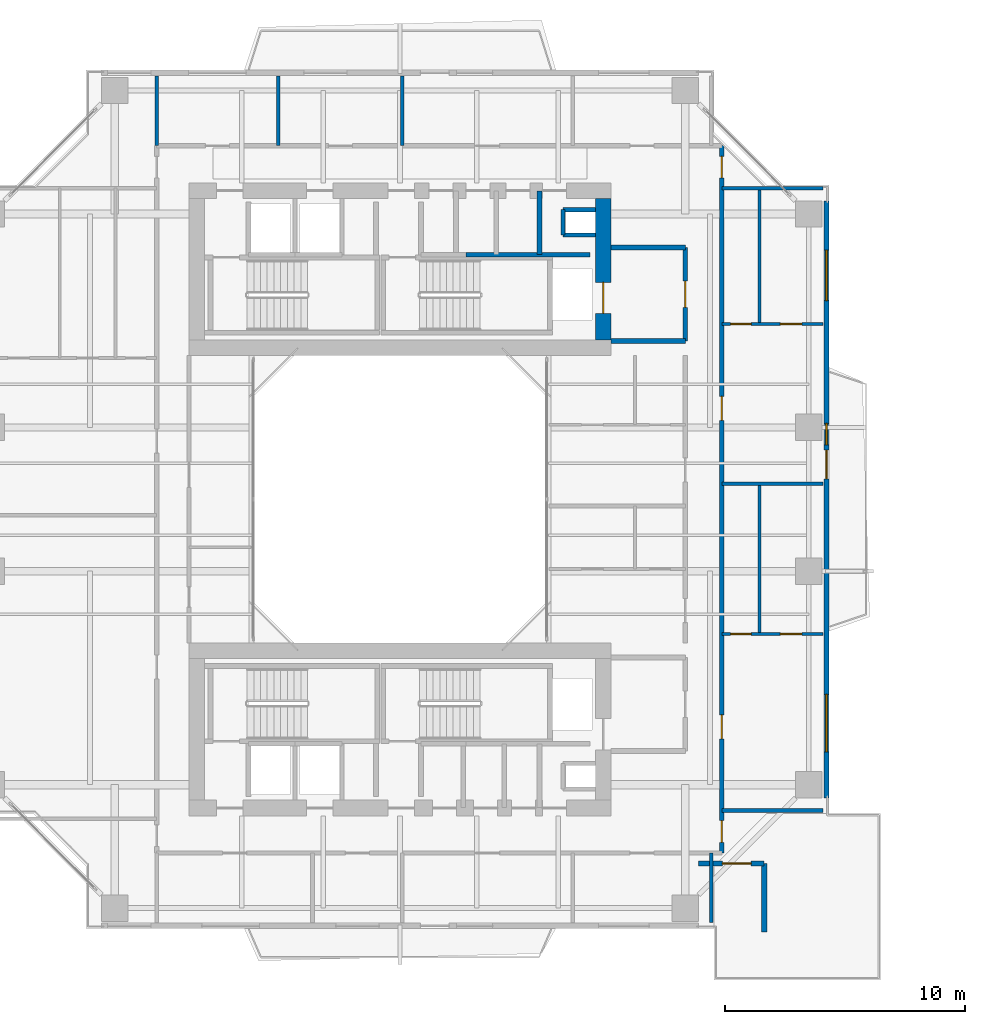
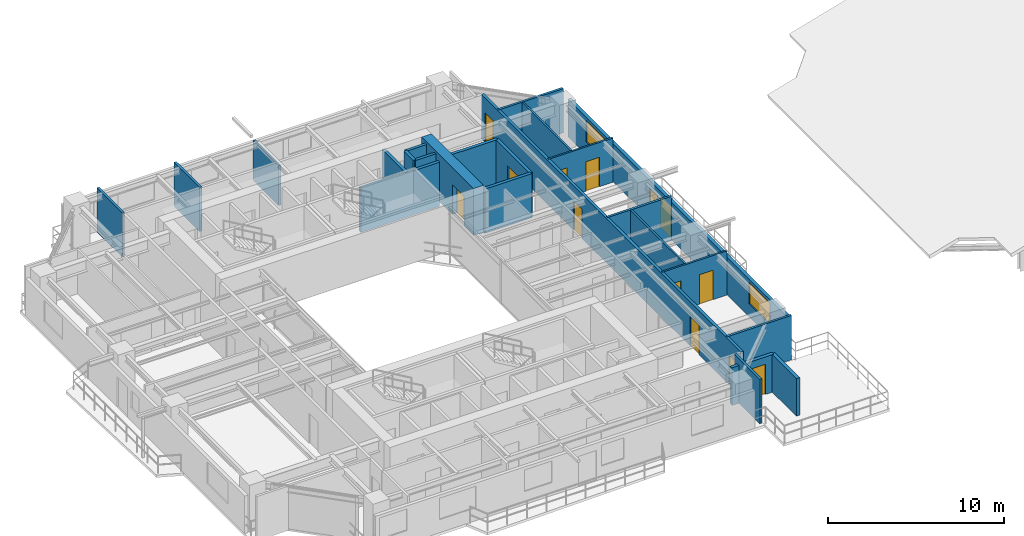
# One storey, part 24 of 28: 24 walls, 12 doors, 3 windows, 15 openings.
"""IFC4 building model written with IfcOpenShell, lengths in metres."""

from ifc_helpers import new_model, si_unit, direction, frame, frame_2d, origin, place, context, subcontext, project, spatial, rectangle, extrude, source, transform, mapped, material, layer, layer_set, type_object, element, fill, save


model = new_model("IFC4")

# Units and contexts
model_context = context("Model", 3, precision=1e-05, world=origin(), true_north=direction((0.0, 1.0)))
body_context = subcontext(model_context, "Body", "Model", "MODEL_VIEW")
ifc_project = project(units=[si_unit("LENGTHUNIT", "METRE"), si_unit("AREAUNIT", "SQUARE_METRE"), si_unit("VOLUMEUNIT", "CUBIC_METRE"), si_unit("PLANEANGLEUNIT", "RADIAN"), si_unit("MASSUNIT", "GRAM", prefix="KILO"), si_unit("THERMODYNAMICTEMPERATUREUNIT", "KELVIN"), si_unit("POWERUNIT", "WATT")], contexts=[model_context])

# Site, building, storey
site_placement = place(None, origin())
site = spatial("IfcSite", under=ifc_project, at=site_placement, CompositionType="ELEMENT")
building_placement = place(site_placement, origin())
building = spatial("IfcBuilding", under=site, at=building_placement, Name="Qiaomeng Ring Towers", CompositionType="ELEMENT")
storey_placement = place(building_placement, frame((0.0, 0.0, 113.25)))
storey = spatial("IfcBuildingStorey", under=building, at=storey_placement, Name="L32", CompositionType="ELEMENT", Elevation=113.25)

# Wall, openings, windows, door
ifc_material_1 = material(Name="Precast concrete C40", Category="concrete")
ifc_layer_1 = layer(ifc_material_1, 0.219970703125, Name="Precast concrete C40")
ifc_layer_set_1 = layer_set([ifc_layer_1], Name="Precast concrete C40")
wall_type_1 = type_object("IfcWallType", Name="ARC-WL-EW2", PredefinedType="STANDARD", material=ifc_layer_set_1)
wall_1_placement = place(storey_placement, frame((36.7900390625, 10.550048828125, 0.0), z_axis=(0.0, 0.0, 1.0), x_axis=(0.0, 1.0, 0.0)))
wall_1 = element("IfcWall", 1, at=wall_1_placement, inside=storey, type_object=wall_type_1, Name="L32 Tower 1 E Exterior Wall", PredefinedType="STANDARD", context=body_context, shape_type="SweptSolid", body=[
    extrude(rectangle(XDim=24.89990234375, YDim=0.219970703125, at=frame_2d((12.449951171875, 0.0))), origin(), (0.0, 0.0, 1.0), 2.610107421875),
])
opening_1_placement = place(wall_1_placement, frame((13.300048828125, 0.0, 0.0)))
opening_1 = element("IfcOpeningElement", 2, at=opening_1_placement, cuts=wall_1, Name="Opening BD1", PredefinedType="OPENING", context=body_context, shape_type="SweptSolid", body=[
    extrude(rectangle(XDim=1.199951171875, YDim=2.10009765625, at=frame_2d((0.60009765625, 1.050048828125))), frame((0.0, 0.119873046875, 0.0), z_axis=(0.0, -1.0, 0.0), x_axis=(1.0, 0.0, 0.0)), (0.0, 0.0, 1.0), 0.239990234375),
])
opening_2_placement = place(wall_1_placement, frame((1.912109375, 0.0, 0.89990234375)))
opening_2 = element("IfcOpeningElement", 3, at=opening_2_placement, cuts=wall_1, Name="Opening WN6", PredefinedType="OPENING", context=body_context, shape_type="SweptSolid", body=[
    extrude(rectangle(XDim=2.39990234375, YDim=1.47998046875, at=frame_2d((1.199951171875, 0.739990234375))), frame((0.0, 0.119873046875, 0.0), z_axis=(0.0, -1.0, 0.0), x_axis=(1.0, 0.0, 0.0)), (0.0, 0.0, 1.0), 0.239990234375),
])
opening_3_placement = place(wall_1_placement, frame((20.737060546875, 0.0, 0.89990234375)))
opening_3 = element("IfcOpeningElement", 4, at=opening_3_placement, cuts=wall_1, Name="Opening WN4", PredefinedType="OPENING", context=body_context, shape_type="SweptSolid", body=[
    extrude(rectangle(XDim=2.10009765625, YDim=1.47998046875, at=frame_2d((1.050048828125, 0.739990234375))), frame((0.0, 0.119873046875, 0.0), z_axis=(0.0, -1.0, 0.0), x_axis=(1.0, 0.0, 0.0)), (0.0, 0.0, 1.0), 0.239990234375),
])
opening_4_placement = place(wall_1_placement, frame((14.719970703125, 0.0, 0.89990234375)))
opening_4 = element("IfcOpeningElement", 5, at=opening_4_placement, cuts=wall_1, Name="Opening WN5", PredefinedType="OPENING", context=body_context, shape_type="SweptSolid", body=[
    extrude(rectangle(XDim=0.89990234375, YDim=1.199951171875, at=frame_2d((0.449951171875, 0.60009765625))), frame((0.0, 0.119873046875, 0.0), z_axis=(0.0, -1.0, 0.0), x_axis=(1.0, 0.0, 0.0)), (0.0, 0.0, 1.0), 0.239990234375),
])
ifc_material_2 = material(Name="Low-E dark-grey laminated double glazing", Category="glass")
window_type_1 = type_object("IfcWindowType", Name="ARC-WN-4", PartitioningType="TRIPLE_PANEL_VERTICAL", PredefinedType="WINDOW", material=ifc_material_2)
shared_shape_1 = source(origin(), body_context, "Body", "SweptSolid", [
    extrude(rectangle(XDim=2.10009765625, YDim=1.47998046875, at=frame_2d((1.050048828125, 0.739990234375))), frame((0.0, 0.030029296875, 0.0), z_axis=(0.0, -1.0, 0.0), x_axis=(1.0, 0.0, 0.0)), (0.0, 0.0, 1.0), 0.06005859375),
])
window_1_placement = place(opening_3_placement, origin())
window_1 = element("IfcWindow", 6, at=window_1_placement, inside=storey, type_object=window_type_1, Name="L32 Exterior Window WN4", OverallHeight=1.47998046875, OverallWidth=2.10009765625, PartitioningType="TRIPLE_PANEL_VERTICAL", PredefinedType="WINDOW", context=body_context, shape_type="MappedRepresentation", body=[
    mapped(shared_shape_1, transform((0.0, 0.0, 0.0), x_axis=(1.0, 0.0, 0.0), y_axis=(0.0, 1.0, 0.0), z_axis=(0.0, 0.0, 1.0), scale=1.0)),
])
fill(opening_3, window_1)
window_type_2 = type_object("IfcWindowType", Name="ARC-WN-6", PartitioningType="TRIPLE_PANEL_VERTICAL", PredefinedType="WINDOW", material=ifc_material_2)
shared_shape_2 = source(origin(), body_context, "Body", "SweptSolid", [
    extrude(rectangle(XDim=2.39990234375, YDim=1.47998046875, at=frame_2d((1.199951171875, 0.739990234375))), frame((0.0, 0.030029296875, 0.0), z_axis=(0.0, -1.0, 0.0), x_axis=(1.0, 0.0, 0.0)), (0.0, 0.0, 1.0), 0.06005859375),
])
window_2_placement = place(opening_2_placement, origin())
window_2 = element("IfcWindow", 7, at=window_2_placement, inside=storey, type_object=window_type_2, Name="L32 Exterior Window WN6", OverallHeight=1.47998046875, OverallWidth=2.39990234375, PartitioningType="TRIPLE_PANEL_VERTICAL", PredefinedType="WINDOW", context=body_context, shape_type="MappedRepresentation", body=[
    mapped(shared_shape_2, transform((0.0, 0.0, 0.0), x_axis=(1.0, 0.0, 0.0), y_axis=(0.0, 1.0, 0.0), z_axis=(0.0, 0.0, 1.0), scale=1.0)),
])
fill(opening_2, window_2)
door_type_1 = type_object("IfcDoorType", Name="ARC-DR-BD1", OperationType="NOTDEFINED", PredefinedType="DOOR", material=ifc_material_2)
shared_shape_3 = source(origin(), body_context, "Body", "SweptSolid", [
    extrude(rectangle(XDim=1.199951171875, YDim=2.10009765625, at=frame_2d((0.60009765625, 1.050048828125))), frame((0.0, 0.02490234375, 0.0), z_axis=(0.0, -1.0, 0.0), x_axis=(1.0, 0.0, 0.0)), (0.0, 0.0, 1.0), 0.050048828125),
])
door_1_placement = place(opening_1_placement, origin())
door_1 = element("IfcDoor", 8, at=door_1_placement, inside=storey, type_object=door_type_1, Name="L32 E Balcony Glazed Door", OperationType="SINGLE_SWING_LEFT", OverallHeight=2.10009765625, OverallWidth=1.199951171875, PredefinedType="DOOR", context=body_context, shape_type="MappedRepresentation", body=[
    mapped(shared_shape_3, transform((0.0, 0.0, 0.0), x_axis=(1.0, 0.0, 0.0), y_axis=(0.0, 1.0, 0.0), z_axis=(0.0, 0.0, 1.0), scale=1.0)),
])
fill(opening_1, door_1)
window_type_3 = type_object("IfcWindowType", Name="ARC-WN-5", PartitioningType="SINGLE_PANEL", PredefinedType="WINDOW", material=ifc_material_2)
shared_shape_4 = source(origin(), body_context, "Body", "SweptSolid", [
    extrude(rectangle(XDim=0.89990234375, YDim=1.199951171875, at=frame_2d((0.449951171875, 0.60009765625))), frame((0.0, 0.030029296875, 0.0), z_axis=(0.0, -1.0, 0.0), x_axis=(1.0, 0.0, 0.0)), (0.0, 0.0, 1.0), 0.06005859375),
])
window_3_placement = place(opening_4_placement, origin())
window_3 = element("IfcWindow", 9, at=window_3_placement, inside=storey, type_object=window_type_3, Name="L32 Exterior Window WN5", OverallHeight=1.199951171875, OverallWidth=0.89990234375, PartitioningType="SINGLE_PANEL", PredefinedType="WINDOW", context=body_context, shape_type="MappedRepresentation", body=[
    mapped(shared_shape_4, transform((0.0, 0.0, 0.0), x_axis=(1.0, 0.0, 0.0), y_axis=(0.0, 1.0, 0.0), z_axis=(0.0, 0.0, 1.0), scale=1.0)),
])
fill(opening_4, window_3)

# Wall, opening, door
wall_2_placement = place(storey_placement, frame((31.449951171875, 7.81005859375, 0.0), z_axis=(0.0, 0.0, 1.0), x_axis=(1.0, 0.0, 0.0)))
wall_2 = element("IfcWall", 10, at=wall_2_placement, inside=storey, type_object=wall_type_1, Name="L32 Spiral Terrace Wall SE", PredefinedType="STANDARD", context=body_context, shape_type="SweptSolid", body=[
    extrude(rectangle(XDim=2.739990234375, YDim=0.219970703125, at=frame_2d((1.3701171875, 0.0))), origin(), (0.0, 0.0, 1.0), 2.610107421875),
])
opening_5_placement = place(wall_2_placement, frame((0.989990234375, 0.0, 0.0)))
opening_5 = element("IfcOpeningElement", 11, at=opening_5_placement, cuts=wall_2, Name="Opening BD1", PredefinedType="OPENING", context=body_context, shape_type="SweptSolid", body=[
    extrude(rectangle(XDim=1.199951171875, YDim=2.10009765625, at=frame_2d((0.60009765625, 1.050048828125))), frame((0.0, 0.119873046875, 0.0), z_axis=(0.0, -1.0, 0.0), x_axis=(1.0, 0.0, 0.0)), (0.0, 0.0, 1.0), 0.239990234375),
])
door_2_placement = place(opening_5_placement, origin())
door_2 = element("IfcDoor", 12, at=door_2_placement, inside=storey, type_object=door_type_1, Name="L32 Spiral Sky Terrace Door SE", OperationType="SINGLE_SWING_LEFT", OverallHeight=2.10009765625, OverallWidth=1.199951171875, PredefinedType="DOOR", context=body_context, shape_type="MappedRepresentation", body=[
    mapped(shared_shape_3, transform((0.0, 0.0, 0.0), x_axis=(1.0, 0.0, 0.0), y_axis=(0.0, 1.0, 0.0), z_axis=(0.0, 0.0, 1.0), scale=1.0)),
])
fill(opening_5, door_2)

# Walls
wall_3_placement = place(storey_placement, frame((34.18994140625, 4.949951171875, 0.0), z_axis=(0.0, 0.0, 1.0), x_axis=(0.0, 1.0, 0.0)))
element("IfcWall", 13, at=wall_3_placement, inside=storey, type_object=wall_type_1, Name="L32 Spiral Terrace Return Wall SE", PredefinedType="STANDARD", context=body_context, shape_type="SweptSolid", body=[
    extrude(rectangle(XDim=2.860107421875, YDim=0.219970703125, at=frame_2d((1.43017578125, 0.0))), origin(), (0.0, 0.0, 1.0), 2.610107421875),
])
ifc_material_3 = material(Name="Autoclaved aerated concrete block", Category="concrete")
ifc_layer_2 = layer(ifc_material_3, 0.199951171875, Name="Autoclaved aerated concrete block")
ifc_layer_set_2 = layer_set([ifc_layer_2], Name="Autoclaved aerated concrete block")
wall_type_2 = type_object("IfcWallType", Name="ARC-WL-PW1", PredefinedType="PARTITIONING", material=ifc_layer_set_2)
for number, where, z_axis, x_axis, name in (
    (14, (27.800048828125, 29.60009765625, 0.0), (0.0, 0.0, 1.0), (1.0, 0.0, 0.0), "L32 Interior Wall PW1"),
    (15, (27.800048828125, 33.5, 0.0), (0.0, 0.0, 1.0), (1.0, 0.0, 0.0), "L32 Interior Wall PW1"),
):
    element("IfcWall", number, at=place(storey_placement, frame(where, z_axis=z_axis, x_axis=x_axis)), inside=storey, type_object=wall_type_2, Name=name, PredefinedType="PARTITIONING", context=body_context, shape_type="SweptSolid", body=[
        extrude(rectangle(XDim=3.099853515625, YDim=0.199951171875, at=frame_2d((1.5498046875, 0.0))), origin(), (0.0, 0.0, 1.0), 3.070068359375),
    ])

# Wall, opening, door
wall_4_placement = place(storey_placement, frame((30.89990234375, 29.60009765625, 0.0), z_axis=(0.0, 0.0, 1.0), x_axis=(0.0, 1.0, 0.0)))
wall_4 = element("IfcWall", 16, at=wall_4_placement, inside=storey, type_object=wall_type_2, Name="L32 Interior Wall PW1", PredefinedType="PARTITIONING", context=body_context, shape_type="SweptSolid", body=[
    extrude(rectangle(XDim=3.89990234375, YDim=0.199951171875, at=frame_2d((1.949951171875, 0.0))), origin(), (0.0, 0.0, 1.0), 3.070068359375),
])
opening_6_placement = place(wall_4_placement, frame((1.39990234375, 0.0, 0.0)))
opening_6 = element("IfcOpeningElement", 17, at=opening_6_placement, cuts=wall_4, Name="Opening FD3", PredefinedType="OPENING", context=body_context, shape_type="SweptSolid", body=[
    extrude(rectangle(XDim=1.10009765625, YDim=2.050048828125, at=frame_2d((0.550048828125, 1.02490234375))), frame((0.0, 0.10986328125, 0.0), z_axis=(0.0, -1.0, 0.0), x_axis=(1.0, 0.0, 0.0)), (0.0, 0.0, 1.0), 0.219970703125),
])
ifc_material_4 = material(Name="Galvanised steel", Category="steel")
door_type_2 = type_object("IfcDoorType", Name="ARC-DR-FD3", OperationType="NOTDEFINED", PredefinedType="DOOR", material=ifc_material_4)
shared_shape_5 = source(origin(), body_context, "Body", "SweptSolid", [
    extrude(rectangle(XDim=1.10009765625, YDim=2.050048828125, at=frame_2d((0.550048828125, 1.02490234375))), frame((0.0, 0.02490234375, 0.0), z_axis=(0.0, -1.0, 0.0), x_axis=(1.0, 0.0, 0.0)), (0.0, 0.0, 1.0), 0.050048828125),
])
door_3_placement = place(opening_6_placement, origin())
door_3 = element("IfcDoor", 18, at=door_3_placement, inside=storey, type_object=door_type_2, Name="L32 North FF Lobby Door", OperationType="SINGLE_SWING_RIGHT", OverallHeight=2.050048828125, OverallWidth=1.10009765625, PredefinedType="DOOR", context=body_context, shape_type="MappedRepresentation", body=[
    mapped(shared_shape_5, transform((0.0, 0.0, 0.0), x_axis=(1.0, 0.0, 0.0), y_axis=(0.0, 1.0, 0.0), z_axis=(0.0, 0.0, 1.0), scale=1.0)),
])
fill(opening_6, door_3)

# Walls
wall_5_placement = place(storey_placement, frame((24.820068359375, 33.199951171875, 0.0), z_axis=(0.0, 0.0, 1.0), x_axis=(0.0, 1.0, 0.0)))
element("IfcWall", 19, at=wall_5_placement, inside=storey, type_object=wall_type_2, Name="L32 Interior Wall PW1", PredefinedType="PARTITIONING", context=body_context, shape_type="SweptSolid", body=[
    extrude(rectangle(XDim=2.650146484375, YDim=0.199951171875, at=frame_2d((1.3251953125, 0.0))), origin(), (0.0, 0.0, 1.0), 3.070068359375),
])
wall_6_placement = place(storey_placement, frame((21.75, 33.199951171875, 0.0), z_axis=(0.0, 0.0, 1.0), x_axis=(1.0, 0.0, 0.0)))
element("IfcWall", 20, at=wall_6_placement, inside=storey, type_object=wall_type_2, Name="L32 Interior Wall PW1", PredefinedType="PARTITIONING", context=body_context, shape_type="SweptSolid", body=[
    extrude(rectangle(XDim=5.169921875, YDim=0.199951171875, at=frame_2d((2.5849609375, 0.0))), origin(), (0.0, 0.0, 1.0), 3.070068359375),
])

# Wall, openings, doors
ifc_layer_3 = layer(ifc_material_3, 0.179931640625, Name="Autoclaved aerated concrete block")
ifc_layer_set_3 = layer_set([ifc_layer_3], Name="Autoclaved aerated concrete block")
wall_type_3 = type_object("IfcWallType", Name="ARC-WL-PW2", PredefinedType="PARTITIONING", material=ifc_layer_set_3)
wall_7_placement = place(storey_placement, frame((32.419921875, 8.25, 0.0), z_axis=(0.0, 0.0, 1.0), x_axis=(0.0, 1.0, 0.0)))
wall_7 = element("IfcWall", 21, at=wall_7_placement, inside=storey, type_object=wall_type_3, Name="L32 Interior Wall PW2", PredefinedType="PARTITIONING", context=body_context, shape_type="SweptSolid", body=[
    extrude(rectangle(XDim=29.5, YDim=0.179931640625, at=frame_2d((14.75, 0.0))), origin(), (0.0, 0.0, 1.0), 3.070068359375),
])
opening_7_placement = place(wall_7_placement, frame((28.155029296875, 0.0, 0.0)))
opening_7 = element("IfcOpeningElement", 22, at=opening_7_placement, cuts=wall_7, Name="Opening ID1", PredefinedType="OPENING", context=body_context, shape_type="SweptSolid", body=[
    extrude(rectangle(XDim=0.89990234375, YDim=2.050048828125, at=frame_2d((0.449951171875, 1.02490234375))), frame((0.0, 0.099853515625, 0.0), z_axis=(0.0, -1.0, 0.0), x_axis=(1.0, 0.0, 0.0)), (0.0, 0.0, 1.0), 0.199951171875),
])
opening_8_placement = place(wall_7_placement, frame((0.445068359375, 0.0, 0.0)))
opening_8 = element("IfcOpeningElement", 23, at=opening_8_placement, cuts=wall_7, Name="Opening ID1", PredefinedType="OPENING", context=body_context, shape_type="SweptSolid", body=[
    extrude(rectangle(XDim=0.89990234375, YDim=2.050048828125, at=frame_2d((0.449951171875, 1.02490234375))), frame((0.0, 0.099853515625, 0.0), z_axis=(0.0, -1.0, 0.0), x_axis=(1.0, 0.0, 0.0)), (0.0, 0.0, 1.0), 0.199951171875),
])
opening_9_placement = place(wall_7_placement, frame((4.760009765625, 0.0, 0.0)))
opening_9 = element("IfcOpeningElement", 24, at=opening_9_placement, cuts=wall_7, Name="Opening FD4", PredefinedType="OPENING", context=body_context, shape_type="SweptSolid", body=[
    extrude(rectangle(XDim=1.0, YDim=2.050048828125, at=frame_2d((0.5, 1.02490234375))), frame((0.0, 0.099853515625, 0.0), z_axis=(0.0, -1.0, 0.0), x_axis=(1.0, 0.0, 0.0)), (0.0, 0.0, 1.0), 0.199951171875),
])
opening_10_placement = place(wall_7_placement, frame((18.0400390625, 0.0, 0.0)))
opening_10 = element("IfcOpeningElement", 25, at=opening_10_placement, cuts=wall_7, Name="Opening FD4", PredefinedType="OPENING", context=body_context, shape_type="SweptSolid", body=[
    extrude(rectangle(XDim=1.0, YDim=2.050048828125, at=frame_2d((0.5, 1.02490234375))), frame((0.0, 0.099853515625, 0.0), z_axis=(0.0, -1.0, 0.0), x_axis=(1.0, 0.0, 0.0)), (0.0, 0.0, 1.0), 0.199951171875),
])
ifc_material_5 = material(Name="Engineered fire-rated oak timber", Category="wood")
door_type_3 = type_object("IfcDoorType", Name="ARC-DR-FD4", OperationType="NOTDEFINED", PredefinedType="DOOR", material=ifc_material_5)
shared_shape_6 = source(origin(), body_context, "Body", "SweptSolid", [
    extrude(rectangle(XDim=1.0, YDim=2.050048828125, at=frame_2d((0.5, 1.02490234375))), frame((0.0, 0.02490234375, 0.0), z_axis=(0.0, -1.0, 0.0), x_axis=(1.0, 0.0, 0.0)), (0.0, 0.0, 1.0), 0.050048828125),
])
door_4_placement = place(opening_9_placement, origin())
door_4 = element("IfcDoor", 26, at=door_4_placement, inside=storey, type_object=door_type_3, Name="L32 Door FD4", OperationType="SINGLE_SWING_LEFT", OverallHeight=2.050048828125, OverallWidth=1.0, PredefinedType="DOOR", context=body_context, shape_type="MappedRepresentation", body=[
    mapped(shared_shape_6, transform((0.0, 0.0, 0.0), x_axis=(1.0, 0.0, 0.0), y_axis=(0.0, 1.0, 0.0), z_axis=(0.0, 0.0, 1.0), scale=1.0)),
])
fill(opening_9, door_4)
door_5_placement = place(opening_10_placement, origin())
door_5 = element("IfcDoor", 27, at=door_5_placement, inside=storey, type_object=door_type_3, Name="L32 Door FD4", OperationType="SINGLE_SWING_RIGHT", OverallHeight=2.050048828125, OverallWidth=1.0, PredefinedType="DOOR", context=body_context, shape_type="MappedRepresentation", body=[
    mapped(shared_shape_6, transform((0.0, 0.0, 0.0), x_axis=(1.0, 0.0, 0.0), y_axis=(0.0, 1.0, 0.0), z_axis=(0.0, 0.0, 1.0), scale=1.0)),
])
fill(opening_10, door_5)
ifc_material_6 = material(Name="Engineered oak timber", Category="wood")
door_type_4 = type_object("IfcDoorType", Name="ARC-DR-ID1", OperationType="NOTDEFINED", PredefinedType="DOOR", material=ifc_material_6)
shared_shape_7 = source(origin(), body_context, "Body", "SweptSolid", [
    extrude(rectangle(XDim=0.89990234375, YDim=2.050048828125, at=frame_2d((0.449951171875, 1.02490234375))), frame((0.0, 0.02490234375, 0.0), z_axis=(0.0, -1.0, 0.0), x_axis=(1.0, 0.0, 0.0)), (0.0, 0.0, 1.0), 0.050048828125),
])
door_6_placement = place(opening_7_placement, origin())
door_6 = element("IfcDoor", 28, at=door_6_placement, inside=storey, type_object=door_type_4, Name="L32 Door ID1", OperationType="SINGLE_SWING_LEFT", OverallHeight=2.050048828125, OverallWidth=0.89990234375, PredefinedType="DOOR", context=body_context, shape_type="MappedRepresentation", body=[
    mapped(shared_shape_7, transform((0.0, 0.0, 0.0), x_axis=(1.0, 0.0, 0.0), y_axis=(0.0, 1.0, 0.0), z_axis=(0.0, 0.0, 1.0), scale=1.0)),
])
fill(opening_7, door_6)
door_7_placement = place(opening_8_placement, origin())
door_7 = element("IfcDoor", 29, at=door_7_placement, inside=storey, type_object=door_type_4, Name="L32 Door ID1", OperationType="SINGLE_SWING_RIGHT", OverallHeight=2.050048828125, OverallWidth=0.89990234375, PredefinedType="DOOR", context=body_context, shape_type="MappedRepresentation", body=[
    mapped(shared_shape_7, transform((0.0, 0.0, 0.0), x_axis=(1.0, 0.0, 0.0), y_axis=(0.0, 1.0, 0.0), z_axis=(0.0, 0.0, 1.0), scale=1.0)),
])
fill(opening_8, door_7)

# Walls
ifc_material_7 = material(Name="Gypsum fireboard steel-stud partition", Category="steel")
ifc_layer_4 = layer(ifc_material_7, 0.14990234375, Name="Gypsum fireboard steel-stud partition")
ifc_layer_set_4 = layer_set([ifc_layer_4], Name="Gypsum fireboard steel-stud partition")
wall_type_4 = type_object("IfcWallType", Name="ARC-WL-PW3", PredefinedType="PARTITIONING", material=ifc_layer_set_4)
wall_8_placement = place(storey_placement, frame((13.919921875, 37.75, 0.0), z_axis=(0.0, 0.0, 1.0), x_axis=(0.0, 1.0, 0.0)))
element("IfcWall", 30, at=wall_8_placement, inside=storey, type_object=wall_type_4, Name="L32 Interior Wall PW3", PredefinedType="PARTITIONING", context=body_context, shape_type="SweptSolid", body=[
    extrude(rectangle(XDim=2.89990234375, YDim=0.14990234375, at=frame_2d((1.449951171875, 0.0))), origin(), (0.0, 0.0, 1.0), 3.070068359375),
])
wall_9_placement = place(storey_placement, frame((19.10009765625, 37.75, 0.0), z_axis=(0.0, 0.0, 1.0), x_axis=(0.0, 1.0, 0.0)))
element("IfcWall", 31, at=wall_9_placement, inside=storey, type_object=wall_type_4, Name="L32 Interior Wall PW3", PredefinedType="PARTITIONING", context=body_context, shape_type="SweptSolid", body=[
    extrude(rectangle(XDim=2.89990234375, YDim=0.14990234375, at=frame_2d((1.449951171875, 0.0))), origin(), (0.0, 0.0, 1.0), 2.77099609375),
])
for number, where, z_axis, x_axis, name in (
    (32, (8.85009765625, 37.75, 0.0), (0.0, 0.0, 1.0), (0.0, 1.0, 0.0), "L32 Interior Wall PW3"),
    (33, (31.97998046875, 5.35009765625, 0.0), (0.0, 0.0, 1.0), (0.0, 1.0, 0.0), "L32 Interior Wall PW3"),
):
    element("IfcWall", number, at=place(storey_placement, frame(where, z_axis=z_axis, x_axis=x_axis)), inside=storey, type_object=wall_type_4, Name=name, PredefinedType="PARTITIONING", context=body_context, shape_type="SweptSolid", body=[
        extrude(rectangle(XDim=2.89990234375, YDim=0.14990234375, at=frame_2d((1.449951171875, 0.0))), origin(), (0.0, 0.0, 1.0), 3.070068359375),
    ])
for number, where, z_axis, x_axis, name in (
    (34, (32.419921875, 35.97998046875, 0.0), (0.0, 0.0, 1.0), (1.0, 0.0, 0.0), "L32 Interior Wall PW3"),
    (35, (32.419921875, 10.02001953125, 0.0), (0.0, 0.0, 1.0), (1.0, 0.0, 0.0), "L32 Interior Wall PW3"),
    (36, (32.419921875, 23.64990234375, 0.0), (0.0, 0.0, 1.0), (1.0, 0.0, 0.0), "L32 Interior Wall PW3"),
):
    element("IfcWall", number, at=place(storey_placement, frame(where, z_axis=z_axis, x_axis=x_axis)), inside=storey, type_object=wall_type_4, Name=name, PredefinedType="PARTITIONING", context=body_context, shape_type="SweptSolid", body=[
        extrude(rectangle(XDim=4.22998046875, YDim=0.14990234375, at=frame_2d((2.114990234375, 0.0))), origin(), (0.0, 0.0, 1.0), 3.070068359375),
    ])

# Wall, openings, doors
ifc_material_8 = material(Name="Moisture-resistant gypsum steel-stud partition", Category="steel")
ifc_layer_5 = layer(ifc_material_8, 0.1201171875, Name="Moisture-resistant gypsum steel-stud partition")
ifc_layer_set_5 = layer_set([ifc_layer_5], Name="Moisture-resistant gypsum steel-stud partition")
wall_type_5 = type_object("IfcWallType", Name="ARC-WL-PW4", PredefinedType="PLUMBINGWALL", material=ifc_layer_set_5)
wall_10_placement = place(storey_placement, frame((32.419921875, 17.3798828125, 0.0), z_axis=(0.0, 0.0, 1.0), x_axis=(1.0, 0.0, 0.0)))
wall_10 = element("IfcWall", 37, at=wall_10_placement, inside=storey, type_object=wall_type_5, Name="L32 Interior Wall PW4", PredefinedType="PLUMBINGWALL", context=body_context, shape_type="SweptSolid", body=[
    extrude(rectangle(XDim=4.22998046875, YDim=0.1201171875, at=frame_2d((2.114990234375, 0.0))), origin(), (0.0, 0.0, 1.0), 3.070068359375),
])
opening_11_placement = place(wall_10_placement, frame((0.3701171875, 0.0, 0.0)))
opening_11 = element("IfcOpeningElement", 38, at=opening_11_placement, cuts=wall_10, Name="Opening ID2", PredefinedType="OPENING", context=body_context, shape_type="SweptSolid", body=[
    extrude(rectangle(XDim=0.85009765625, YDim=2.050048828125, at=frame_2d((0.425048828125, 1.02490234375))), frame((0.0, 0.070068359375, 0.0), z_axis=(0.0, -1.0, 0.0), x_axis=(1.0, 0.0, 0.0)), (0.0, 0.0, 1.0), 0.14013671875),
])
opening_12_placement = place(wall_10_placement, frame((2.43994140625, 0.0, 0.0)))
opening_12 = element("IfcOpeningElement", 39, at=opening_12_placement, cuts=wall_10, Name="Opening ID1", PredefinedType="OPENING", context=body_context, shape_type="SweptSolid", body=[
    extrude(rectangle(XDim=0.89990234375, YDim=2.050048828125, at=frame_2d((0.449951171875, 1.02490234375))), frame((0.0, 0.070068359375, 0.0), z_axis=(0.0, -1.0, 0.0), x_axis=(1.0, 0.0, 0.0)), (0.0, 0.0, 1.0), 0.14013671875),
])
ifc_material_9 = material(Name="Moisture-resistant engineered timber", Category="wood")
door_type_5 = type_object("IfcDoorType", Name="ARC-DR-ID2", OperationType="NOTDEFINED", PredefinedType="DOOR", material=ifc_material_9)
shared_shape_8 = source(origin(), body_context, "Body", "SweptSolid", [
    extrude(rectangle(XDim=0.85009765625, YDim=2.050048828125, at=frame_2d((0.425048828125, 1.02490234375))), frame((0.0, 0.02490234375, 0.0), z_axis=(0.0, -1.0, 0.0), x_axis=(1.0, 0.0, 0.0)), (0.0, 0.0, 1.0), 0.050048828125),
])
door_8_placement = place(opening_11_placement, origin())
door_8 = element("IfcDoor", 40, at=door_8_placement, inside=storey, type_object=door_type_5, Name="L32 Door ID2", OperationType="SINGLE_SWING_LEFT", OverallHeight=2.050048828125, OverallWidth=0.85009765625, PredefinedType="DOOR", context=body_context, shape_type="MappedRepresentation", body=[
    mapped(shared_shape_8, transform((0.0, 0.0, 0.0), x_axis=(1.0, 0.0, 0.0), y_axis=(0.0, 1.0, 0.0), z_axis=(0.0, 0.0, 1.0), scale=1.0)),
])
fill(opening_11, door_8)
door_9_placement = place(opening_12_placement, origin())
door_9 = element("IfcDoor", 41, at=door_9_placement, inside=storey, type_object=door_type_4, Name="L32 Door ID1", OperationType="SINGLE_SWING_RIGHT", OverallHeight=2.050048828125, OverallWidth=0.89990234375, PredefinedType="DOOR", context=body_context, shape_type="MappedRepresentation", body=[
    mapped(shared_shape_7, transform((0.0, 0.0, 0.0), x_axis=(1.0, 0.0, 0.0), y_axis=(0.0, 1.0, 0.0), z_axis=(0.0, 0.0, 1.0), scale=1.0)),
])
fill(opening_12, door_9)

# Wall
wall_11_placement = place(storey_placement, frame((33.989990234375, 17.3798828125, 0.0), z_axis=(0.0, 0.0, 1.0), x_axis=(0.0, 1.0, 0.0)))
element("IfcWall", 42, at=wall_11_placement, inside=storey, type_object=wall_type_5, Name="L32 Interior Wall PW4", PredefinedType="PLUMBINGWALL", context=body_context, shape_type="SweptSolid", body=[
    extrude(rectangle(XDim=6.27001953125, YDim=0.1201171875, at=frame_2d((3.135009765625, 0.0))), origin(), (0.0, 0.0, 1.0), 3.070068359375),
])

# Wall, openings, doors
wall_12_placement = place(storey_placement, frame((32.419921875, 30.31005859375, 0.0), z_axis=(0.0, 0.0, 1.0), x_axis=(1.0, 0.0, 0.0)))
wall_12 = element("IfcWall", 43, at=wall_12_placement, inside=storey, type_object=wall_type_5, Name="L32 Interior Wall PW4", PredefinedType="PLUMBINGWALL", context=body_context, shape_type="SweptSolid", body=[
    extrude(rectangle(XDim=4.22998046875, YDim=0.1201171875, at=frame_2d((2.114990234375, 0.0))), origin(), (0.0, 0.0, 1.0), 3.070068359375),
])
opening_13_placement = place(wall_12_placement, frame((0.3701171875, 0.0, 0.0)))
opening_13 = element("IfcOpeningElement", 44, at=opening_13_placement, cuts=wall_12, Name="Opening ID2", PredefinedType="OPENING", context=body_context, shape_type="SweptSolid", body=[
    extrude(rectangle(XDim=0.85009765625, YDim=2.050048828125, at=frame_2d((0.425048828125, 1.02490234375))), frame((0.0, 0.070068359375, 0.0), z_axis=(0.0, -1.0, 0.0), x_axis=(1.0, 0.0, 0.0)), (0.0, 0.0, 1.0), 0.14013671875),
])
opening_14_placement = place(wall_12_placement, frame((2.43994140625, 0.0, 0.0)))
opening_14 = element("IfcOpeningElement", 45, at=opening_14_placement, cuts=wall_12, Name="Opening ID1", PredefinedType="OPENING", context=body_context, shape_type="SweptSolid", body=[
    extrude(rectangle(XDim=0.89990234375, YDim=2.050048828125, at=frame_2d((0.449951171875, 1.02490234375))), frame((0.0, 0.070068359375, 0.0), z_axis=(0.0, -1.0, 0.0), x_axis=(1.0, 0.0, 0.0)), (0.0, 0.0, 1.0), 0.14013671875),
])
door_10_placement = place(opening_13_placement, origin())
door_10 = element("IfcDoor", 46, at=door_10_placement, inside=storey, type_object=door_type_5, Name="L32 Door ID2", OperationType="SINGLE_SWING_RIGHT", OverallHeight=2.050048828125, OverallWidth=0.85009765625, PredefinedType="DOOR", context=body_context, shape_type="MappedRepresentation", body=[
    mapped(shared_shape_8, transform((0.0, 0.0, 0.0), x_axis=(1.0, 0.0, 0.0), y_axis=(0.0, 1.0, 0.0), z_axis=(0.0, 0.0, 1.0), scale=1.0)),
])
fill(opening_13, door_10)
door_11_placement = place(opening_14_placement, origin())
door_11 = element("IfcDoor", 47, at=door_11_placement, inside=storey, type_object=door_type_4, Name="L32 Door ID1", OperationType="SINGLE_SWING_LEFT", OverallHeight=2.050048828125, OverallWidth=0.89990234375, PredefinedType="DOOR", context=body_context, shape_type="MappedRepresentation", body=[
    mapped(shared_shape_7, transform((0.0, 0.0, 0.0), x_axis=(1.0, 0.0, 0.0), y_axis=(0.0, 1.0, 0.0), z_axis=(0.0, 0.0, 1.0), scale=1.0)),
])
fill(opening_14, door_11)

# Walls
wall_13_placement = place(storey_placement, frame((33.989990234375, 30.31005859375, 0.0), z_axis=(0.0, 0.0, 1.0), x_axis=(0.0, 1.0, 0.0)))
element("IfcWall", 48, at=wall_13_placement, inside=storey, type_object=wall_type_5, Name="L32 Interior Wall PW4", PredefinedType="PLUMBINGWALL", context=body_context, shape_type="SweptSolid", body=[
    extrude(rectangle(XDim=5.669921875, YDim=0.1201171875, at=frame_2d((2.8349609375, 0.0))), origin(), (0.0, 0.0, 1.0), 3.070068359375),
])
ifc_material_10 = material(Name="Concrete C40", Category="concrete")
ifc_layer_6 = layer(ifc_material_10, 0.199951171875, Name="Concrete C40")
ifc_layer_set_6 = layer_set([ifc_layer_6], Name="Concrete C40")
wall_type_6 = type_object("IfcWallType", Name="STR-WL-STSHAFT", PredefinedType="SHEAR", material=ifc_layer_set_6)
wall_14_placement = place(storey_placement, frame((25.800048828125, 34.02001953125, 0.0), z_axis=(0.0, 0.0, 1.0), x_axis=(0.0, 1.0, 0.0)))
element("IfcWall", 49, at=wall_14_placement, inside=storey, type_object=wall_type_6, Name="L32 Riser RSR1 West Shaft Wall N", PredefinedType="SHEAR", context=body_context, shape_type="SweptSolid", body=[
    extrude(rectangle(XDim=1.06005859375, YDim=0.179931640625, at=frame_2d((0.530029296875, 0.0))), origin(), (0.0, 0.0, 1.0), 3.070068359375),
])
for number, where, z_axis, x_axis, name in (
    (50, (25.800048828125, 35.080078125, 0.0), (0.0, 0.0, 1.0), (1.0, 0.0, 0.0), "L32 Riser RSR1 North Shaft Wall N"),
    (51, (25.800048828125, 34.02001953125, 0.0), (0.0, 0.0, 1.0), (1.0, 0.0, 0.0), "L32 Riser RSR1 South Shaft Wall N"),
):
    element("IfcWall", number, at=place(storey_placement, frame(where, z_axis=z_axis, x_axis=x_axis)), inside=storey, type_object=wall_type_6, Name=name, PredefinedType="SHEAR", context=body_context, shape_type="SweptSolid", body=[
        extrude(rectangle(XDim=1.349853515625, YDim=0.179931640625, at=frame_2d((0.6748046875, 0.0))), origin(), (0.0, 0.0, 1.0), 3.070068359375),
    ])

# Wall, opening, door
ifc_material_11 = material(Name="Concrete C55", Category="concrete")
ifc_layer_7 = layer(ifc_material_11, 0.64990234375, Name="Concrete C55")
ifc_layer_set_7 = layer_set([ifc_layer_7], Name="Concrete C55")
wall_type_7 = type_object("IfcWallType", Name="STR-WL-SW2A", PredefinedType="SHEAR", material=ifc_layer_set_7)
wall_15_placement = place(storey_placement, frame((27.47509765625, 29.64990234375, 0.0), z_axis=(0.0, 0.0, 1.0), x_axis=(0.0, 1.0, 0.0)))
wall_15 = element("IfcWall", 52, at=wall_15_placement, inside=storey, type_object=wall_type_7, Name="L32 T1NC east core shear wall", PredefinedType="SHEAR", context=body_context, shape_type="SweptSolid", body=[
    extrude(rectangle(XDim=5.900146484375, YDim=0.64990234375, at=frame_2d((2.9501953125, 0.0))), origin(), (0.0, 0.0, 1.0), 3.25),
])
opening_15_placement = place(wall_15_placement, frame((1.10009765625, 0.0, 0.0)))
opening_15 = element("IfcOpeningElement", 53, at=opening_15_placement, cuts=wall_15, Name="Opening LD2", PredefinedType="OPENING", context=body_context, shape_type="SweptSolid", body=[
    extrude(rectangle(XDim=1.300048828125, YDim=2.050048828125, at=frame_2d((0.64990234375, 1.02490234375))), frame((0.0, 0.3349609375, 0.0), z_axis=(0.0, -1.0, 0.0), x_axis=(1.0, 0.0, 0.0)), (0.0, 0.0, 1.0), 0.669921875),
])
ifc_material_12 = material(Name="Stainless steel 316", Category="steel")
door_type_6 = type_object("IfcDoorType", Name="ARC-DR-LD2", OperationType="NOTDEFINED", PredefinedType="DOOR", material=ifc_material_12)
shared_shape_9 = source(origin(), body_context, "Body", "SweptSolid", [
    extrude(rectangle(XDim=1.300048828125, YDim=2.050048828125, at=frame_2d((0.64990234375, 1.02490234375))), frame((0.0, 0.02490234375, 0.0), z_axis=(0.0, -1.0, 0.0), x_axis=(1.0, 0.0, 0.0)), (0.0, 0.0, 1.0), 0.050048828125),
])
door_12_placement = place(opening_15_placement, origin())
door_12 = element("IfcDoor", 54, at=door_12_placement, inside=storey, type_object=door_type_6, Name="L32 Firefighting Lift FL1 Landing Door", OperationType="SLIDING_TO_LEFT", OverallHeight=2.050048828125, OverallWidth=1.300048828125, PredefinedType="DOOR", context=body_context, shape_type="MappedRepresentation", body=[
    mapped(shared_shape_9, transform((0.0, 0.0, 0.0), x_axis=(1.0, 0.0, 0.0), y_axis=(0.0, 1.0, 0.0), z_axis=(0.0, 0.0, 1.0), scale=1.0)),
])
fill(opening_15, door_12)

save(model, "model.ifc")
